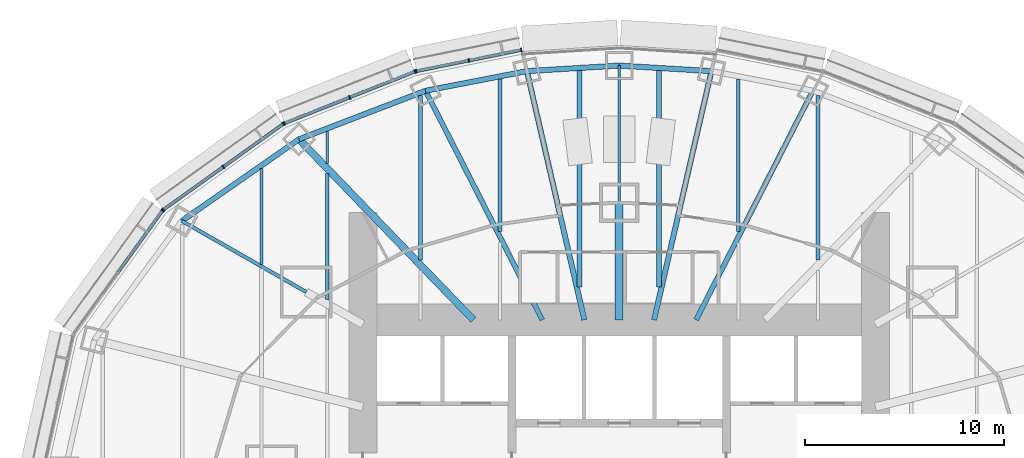
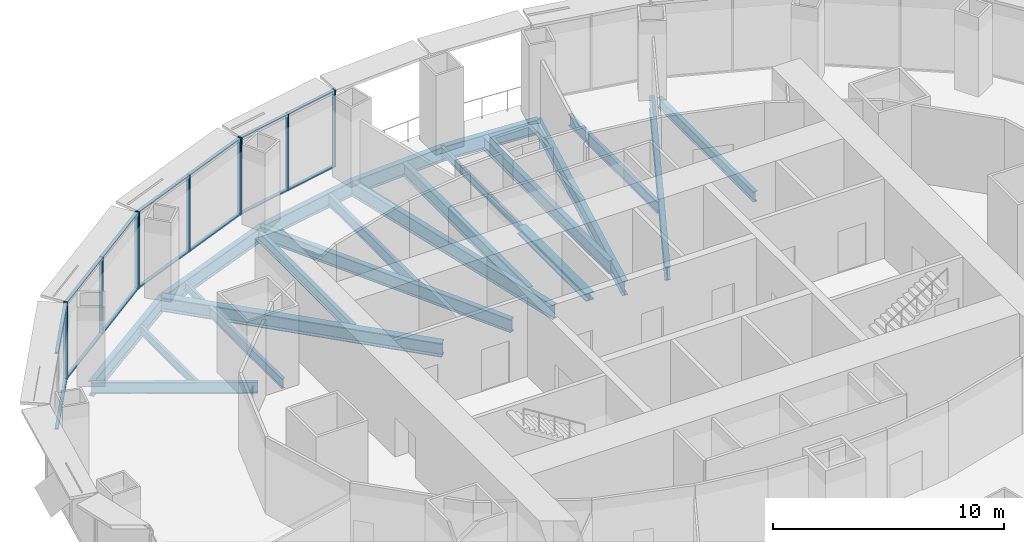
# One storey, part 7 of 17: 24 members, 22 beams, 4 elements without a shape of their own.
"""IFC4 building model written with IfcOpenShell, lengths in metres."""

from ifc_helpers import new_model, si_unit, direction, frame, origin, origin_2d, place, context, subcontext, project, spatial, rectangle, i_section, extrude, material, material_profile, profile_set, type_object, element, aggregate, save


model = new_model("IFC4")

# Units and contexts
model_context = context("Model", 3, precision=1e-05, world=origin(), true_north=direction((0.0, 1.0)))
body_context = subcontext(model_context, "Body", "Model", "MODEL_VIEW")
ifc_project = project(units=[si_unit("LENGTHUNIT", "METRE"), si_unit("AREAUNIT", "SQUARE_METRE"), si_unit("VOLUMEUNIT", "CUBIC_METRE"), si_unit("PLANEANGLEUNIT", "RADIAN"), si_unit("MASSUNIT", "GRAM", prefix="KILO")], contexts=[model_context])

# Site, building, storey
site_placement = place(None, origin())
site = spatial("IfcSite", under=ifc_project, at=site_placement, CompositionType="ELEMENT")
building_placement = place(site_placement, origin())
building = spatial("IfcBuilding", under=site, at=building_placement, Name="Lantaw Convention Tower", CompositionType="ELEMENT")
storey_placement = place(building_placement, frame((0.0, 0.0, 151.0)))
storey = spatial("IfcBuildingStorey", under=building, at=storey_placement, Name="L35", CompositionType="ELEMENT", Elevation=151.0)

# Beams
ifc_material_1 = material(Name="Steel ASTM A992", Category="steel")
ifc_material_profile_1 = material_profile(ifc_material_1, i_section(OverallWidth=0.2666015625, OverallDepth=0.76953125, WebThickness=0.015625, FlangeThickness=0.025390625, FilletRadius=0.0126953125, at=origin_2d()), Name="W30X132")
ifc_profile_set_1 = profile_set([ifc_material_profile_1], Name="Steel ASTM A992")
beam_type_1 = type_object("IfcBeamType", Name="Beam E W30X132", PredefinedType="SPANDREL", material=ifc_profile_set_1)
for number, where, z_axis, x_axis, name in (
    (1, (4.64501953125, 20.1201171875, -0.534912109375), (-0.998190892054, 0.06012439621, 0.0), (-0.06012439621, -0.998190892054, 0.0), "Edge beam 6"),
    (2, (0.0, 20.39990234375, -0.534912109375), (-0.998190892054, -0.06012439621, 0.0), (0.06012439621, -0.998190892054, 0.0), "Edge beam 7"),
):
    element("IfcBeam", number, at=place(storey_placement, frame(where, z_axis=z_axis, x_axis=x_axis)), inside=storey, type_object=beam_type_1, Name=name, PredefinedType="SPANDREL", context=body_context, shape_type="SweptSolid", body=[
        extrude(i_section(OverallWidth=0.2666015625, OverallDepth=0.76953125, WebThickness=0.015625, FlangeThickness=0.025390625, FilletRadius=0.0126953125, at=origin_2d()), origin(), (0.0, 0.0, 1.0), 4.6533203125),
    ])
beam_1_placement = place(storey_placement, frame((-4.64501953125, 20.1201171875, -0.534912109375), z_axis=(-0.981796805654, -0.189934284446, 0.0), x_axis=(0.189934284446, -0.981796805654, 0.0)))
element("IfcBeam", 3, at=beam_1_placement, inside=storey, type_object=beam_type_1, Name="Edge beam 8", PredefinedType="SPANDREL", context=body_context, shape_type="SweptSolid", body=[
    extrude(i_section(OverallWidth=0.2666015625, OverallDepth=0.76953125, WebThickness=0.015625, FlangeThickness=0.025390625, FilletRadius=0.0126953125, at=origin_2d()), origin(), (0.0, 0.0, 1.0), 5.1982421875),
])
beam_2_placement = place(storey_placement, frame((-9.74853515625, 19.1328125, -0.534912109375), z_axis=(-0.933691081977, -0.358079549033, 0.0), x_axis=(0.358079549033, -0.933691081977, 0.0)))
element("IfcBeam", 4, at=beam_2_placement, inside=storey, type_object=beam_type_1, Name="Edge beam 9", PredefinedType="SPANDREL", context=body_context, shape_type="SweptSolid", body=[
    extrude(i_section(OverallWidth=0.2666015625, OverallDepth=0.76953125, WebThickness=0.015625, FlangeThickness=0.025390625, FilletRadius=0.0126953125, at=origin_2d()), origin(), (0.0, 0.0, 1.0), 6.821533203125),
])
beam_3_placement = place(storey_placement, frame((-16.11767578125, 16.690185546875, -0.534912109375), z_axis=(-0.820310765287, -0.57191804339, 0.0), x_axis=(0.57191804339, -0.820310765287, 0.0)))
element("IfcBeam", 5, at=beam_3_placement, inside=storey, type_object=beam_type_1, Name="Edge beam 10", PredefinedType="SPANDREL", context=body_context, shape_type="SweptSolid", body=[
    extrude(i_section(OverallWidth=0.2666015625, OverallDepth=0.76953125, WebThickness=0.015625, FlangeThickness=0.025390625, FilletRadius=0.0126953125, at=origin_2d()), origin(), (0.0, 0.0, 1.0), 7.187744140625),
])
ifc_material_profile_2 = material_profile(ifc_material_1, i_section(OverallWidth=0.140380859375, OverallDepth=0.40380859375, WebThickness=0.007080078125, FlangeThickness=0.01123046875, FilletRadius=0.01025390625, at=origin_2d()), Name="W16X31")
ifc_profile_set_2 = profile_set([ifc_material_profile_2], Name="Steel ASTM A992")
beam_type_2 = type_object("IfcBeamType", Name="Beam G W16X31", PredefinedType="BEAM", material=ifc_profile_set_2)
beam_4_placement = place(storey_placement, frame((0.0, 13.5, -0.35205078125), z_axis=(0.0, 1.0, 0.0), x_axis=(-1.0, 0.0, 0.0)))
element("IfcBeam", 6, at=beam_4_placement, inside=storey, type_object=beam_type_2, Name="Floor girder on ray 7", PredefinedType="BEAM", context=body_context, shape_type="SweptSolid", body=[
    extrude(i_section(OverallWidth=0.140380859375, OverallDepth=0.40380859375, WebThickness=0.007080078125, FlangeThickness=0.01123046875, FilletRadius=0.01025390625, at=origin_2d()), origin(), (0.0, 0.0, 1.0), 6.89990234375),
])
ifc_material_profile_3 = material_profile(ifc_material_1, i_section(OverallWidth=0.177978515625, OverallDepth=0.599365234375, WebThickness=0.010009765625, FlangeThickness=0.012939453125, FilletRadius=0.012939453125, at=origin_2d()), Name="W24X55")
ifc_profile_set_3 = profile_set([ifc_material_profile_3], Name="Steel ASTM A992")
beam_type_3 = type_object("IfcBeamType", Name="Beam G W24X55", PredefinedType="BEAM", material=ifc_profile_set_3)
beam_5_placement = place(storey_placement, frame((-15.75, 9.0, -0.44970703125), z_axis=(-0.868245224608, 0.496135293993, 0.0), x_axis=(-0.496135293993, -0.868245224608, 0.0)))
element("IfcBeam", 7, at=beam_5_placement, inside=storey, type_object=beam_type_3, Name="Floor girder on ray 11", PredefinedType="BEAM", context=body_context, shape_type="SweptSolid", body=[
    extrude(i_section(OverallWidth=0.177978515625, OverallDepth=0.599365234375, WebThickness=0.010009765625, FlangeThickness=0.012939453125, FilletRadius=0.012939453125, at=origin_2d()), origin(), (0.0, 0.0, 1.0), 7.21435546875),
])
ifc_material_profile_4 = material_profile(ifc_material_1, i_section(OverallWidth=0.25390625, OverallDepth=0.700927734375, WebThickness=0.015380859375, FlangeThickness=0.02783203125, FilletRadius=0.01513671875, at=origin_2d()), Name="W27X129")
ifc_profile_set_4 = profile_set([ifc_material_profile_4], Name="Steel ASTM A992")
beam_type_4 = type_object("IfcBeamType", Name="Beam G W27X129", PredefinedType="BEAM", material=ifc_profile_set_4)
for number, where, z_axis, x_axis, name in (
    (8, (3.872314453125, 7.60009765625, -0.50048828125), (0.453991051051, 0.891006243281, 0.0), (-0.891006243281, 0.453991051051, 0.0), "Floor girder on ray 5"),
    (9, (-3.872314453125, 7.60009765625, -0.50048828125), (-0.453991051051, 0.891006243281, 0.0), (-0.891006243281, -0.453991051051, 0.0), "Floor girder on ray 9"),
):
    element("IfcBeam", number, at=place(storey_placement, frame(where, z_axis=z_axis, x_axis=x_axis)), inside=storey, type_object=beam_type_4, Name=name, PredefinedType="BEAM", context=body_context, shape_type="SweptSolid", body=[
        extrude(i_section(OverallWidth=0.25390625, OverallDepth=0.700927734375, WebThickness=0.015380859375, FlangeThickness=0.02783203125, FilletRadius=0.01513671875, at=origin_2d()), origin(), (0.0, 0.0, 1.0), 12.943359375),
    ])
ifc_material_profile_5 = material_profile(ifc_material_1, i_section(OverallWidth=0.360595703125, OverallDepth=0.72900390625, WebThickness=0.023193359375, FlangeThickness=0.041015625, FilletRadius=0.0126953125, at=origin_2d()), Name="W27X235")
ifc_profile_set_5 = profile_set([ifc_material_profile_5], Name="Steel ASTM A992")
beam_type_5 = type_object("IfcBeamType", Name="Beam G W27X235", PredefinedType="BEAM", material=ifc_profile_set_5)
beam_6_placement = place(storey_placement, frame((-7.33935546875, 7.60009765625, -0.514404296875), z_axis=(-0.694663467407, 0.719334878239, 0.0), x_axis=(-0.719334878239, -0.694663467407, 0.0)))
element("IfcBeam", 10, at=beam_6_placement, inside=storey, type_object=beam_type_5, Name="Floor girder on ray 10", PredefinedType="BEAM", context=body_context, shape_type="SweptSolid", body=[
    extrude(i_section(OverallWidth=0.360595703125, OverallDepth=0.72900390625, WebThickness=0.023193359375, FlangeThickness=0.041015625, FilletRadius=0.0126953125, at=origin_2d()), origin(), (0.0, 0.0, 1.0), 12.63671875),
])
ifc_material_profile_6 = material_profile(ifc_material_1, i_section(OverallWidth=0.2666015625, OverallDepth=0.7568359375, WebThickness=0.013916015625, FlangeThickness=0.019287109375, FilletRadius=0.0126953125, at=origin_2d()), Name="W30X108")
ifc_profile_set_6 = profile_set([ifc_material_profile_6], Name="Steel ASTM A992")
beam_type_6 = type_object("IfcBeamType", Name="Beam G W30X108", PredefinedType="BEAM", material=ifc_profile_set_6)
for number, where, z_axis, x_axis, name in (
    (11, (1.754638671875, 7.60009765625, -0.528564453125), (0.224944153104, 0.974371658036, 0.0), (-0.974371658036, 0.224944153104, 0.0), "Floor girder on ray 6"),
    (12, (-1.754638671875, 7.60009765625, -0.528564453125), (-0.224944153104, 0.974371658036, 0.0), (-0.974371658036, -0.224944153104, 0.0), "Floor girder on ray 8"),
):
    element("IfcBeam", number, at=place(storey_placement, frame(where, z_axis=z_axis, x_axis=x_axis)), inside=storey, type_object=beam_type_6, Name=name, PredefinedType="BEAM", context=body_context, shape_type="SweptSolid", body=[
        extrude(i_section(OverallWidth=0.2666015625, OverallDepth=0.7568359375, WebThickness=0.013916015625, FlangeThickness=0.019287109375, FilletRadius=0.0126953125, at=origin_2d()), origin(), (0.0, 0.0, 1.0), 12.849365234375),
    ])
ifc_material_profile_7 = material_profile(ifc_material_1, i_section(OverallWidth=0.40380859375, OverallDepth=0.406494140625, WebThickness=0.027099609375, FlangeThickness=0.043701171875, FilletRadius=0.01513671875, at=origin_2d()), Name="W14X233")
ifc_profile_set_7 = profile_set([ifc_material_profile_7], Name="Steel ASTM A992")
beam_type_7 = type_object("IfcBeamType", Name="Beam GM W14X233", PredefinedType="BEAM", material=ifc_profile_set_7)
beam_7_placement = place(storey_placement, frame((0.0, 7.60009765625, -0.353271484375), z_axis=(0.0, 1.0, 0.0), x_axis=(-1.0, 0.0, 0.0)))
element("IfcBeam", 13, at=beam_7_placement, inside=storey, type_object=beam_type_7, Name="Core link beam on ray 7", PredefinedType="BEAM", context=body_context, shape_type="SweptSolid", body=[
    extrude(i_section(OverallWidth=0.40380859375, OverallDepth=0.406494140625, WebThickness=0.027099609375, FlangeThickness=0.043701171875, FilletRadius=0.01513671875, at=origin_2d()), origin(), (0.0, 0.0, 1.0), 5.89990234375),
])
ifc_material_profile_8 = material_profile(ifc_material_1, i_section(OverallWidth=0.140380859375, OverallDepth=0.40380859375, WebThickness=0.007080078125, FlangeThickness=0.01123046875, FilletRadius=0.01025390625, at=origin_2d()), Name="W16X31")
ifc_profile_set_8 = profile_set([ifc_material_profile_8], Name="Steel ASTM A992")
beam_type_8 = type_object("IfcBeamType", Name="Beam J W16X31", PredefinedType="JOIST", material=ifc_profile_set_8)
beam_8_placement = place(storey_placement, frame((-14.699951171875, 15.48193359375, -0.35205078125), z_axis=(0.0, 1.0, 0.0), x_axis=(-1.0, 0.0, 0.0)))
element("IfcBeam", 14, at=beam_8_placement, inside=storey, type_object=beam_type_8, Name="Floor joist", PredefinedType="JOIST", context=body_context, shape_type="SweptSolid", body=[
    extrude(i_section(OverallWidth=0.140380859375, OverallDepth=0.40380859375, WebThickness=0.007080078125, FlangeThickness=0.01123046875, FilletRadius=0.01025390625, at=origin_2d()), origin(), (0.0, 0.0, 1.0), 1.609130859375),
])
ifc_material_profile_9 = material_profile(ifc_material_1, i_section(OverallWidth=0.15234375, OverallDepth=0.449462890625, WebThickness=0.007568359375, FlangeThickness=0.0107421875, FilletRadius=0.01025390625, at=origin_2d()), Name="W18X35")
ifc_profile_set_9 = profile_set([ifc_material_profile_9], Name="Steel ASTM A992")
beam_type_9 = type_object("IfcBeamType", Name="Beam J W18X35", PredefinedType="JOIST", material=ifc_profile_set_9)
beam_9_placement = place(storey_placement, frame((-18.0, 10.38818359375, -0.374755859375), z_axis=(0.0, 1.0, 0.0), x_axis=(-1.0, 0.0, 0.0)))
element("IfcBeam", 15, at=beam_9_placement, inside=storey, type_object=beam_type_9, Name="Floor joist", PredefinedType="JOIST", context=body_context, shape_type="SweptSolid", body=[
    extrude(i_section(OverallWidth=0.15234375, OverallDepth=0.449462890625, WebThickness=0.007568359375, FlangeThickness=0.0107421875, FilletRadius=0.01025390625, at=origin_2d()), origin(), (0.0, 0.0, 1.0), 4.8271484375),
])
ifc_material_profile_10 = material_profile(ifc_material_1, i_section(OverallWidth=0.1650390625, OverallDepth=0.52587890625, WebThickness=0.0087890625, FlangeThickness=0.011474609375, FilletRadius=0.0126953125, at=origin_2d()), Name="W21X44")
ifc_profile_set_10 = profile_set([ifc_material_profile_10], Name="Steel ASTM A992")
beam_type_10 = type_object("IfcBeamType", Name="Beam J W21X44", PredefinedType="JOIST", material=ifc_profile_set_10)
beam_10_placement = place(storey_placement, frame((-14.699951171875, 8.632568359375, -0.412841796875), z_axis=(0.0, 1.0, 0.0), x_axis=(-1.0, 0.0, 0.0)))
element("IfcBeam", 16, at=beam_10_placement, inside=storey, type_object=beam_type_10, Name="Floor joist", PredefinedType="JOIST", context=body_context, shape_type="SweptSolid", body=[
    extrude(i_section(OverallWidth=0.1650390625, OverallDepth=0.52587890625, WebThickness=0.0087890625, FlangeThickness=0.011474609375, FilletRadius=0.0126953125, at=origin_2d()), origin(), (0.0, 0.0, 1.0), 6.330078125),
])
ifc_material_profile_11 = material_profile(ifc_material_1, i_section(OverallWidth=0.2099609375, OverallDepth=0.535888671875, WebThickness=0.010986328125, FlangeThickness=0.017333984375, FilletRadius=0.012939453125, at=origin_2d()), Name="W21X68")
ifc_profile_set_11 = profile_set([ifc_material_profile_11], Name="Steel ASTM A992")
beam_type_11 = type_object("IfcBeamType", Name="Beam J W21X68", PredefinedType="JOIST", material=ifc_profile_set_11)
for number, where, z_axis, x_axis, name in (
    (17, (-10.0, 10.614990234375, -0.41796875), (0.0, 1.0, 0.0), (-1.0, 0.0, 0.0), "Floor joist"),
    (18, (10.0, 10.614990234375, -0.41796875), (0.0, 1.0, 0.0), (-1.0, 0.0, 0.0), "Floor joist"),
):
    element("IfcBeam", number, at=place(storey_placement, frame(where, z_axis=z_axis, x_axis=x_axis)), inside=storey, type_object=beam_type_11, Name=name, PredefinedType="JOIST", context=body_context, shape_type="SweptSolid", body=[
        extrude(i_section(OverallWidth=0.2099609375, OverallDepth=0.535888671875, WebThickness=0.010986328125, FlangeThickness=0.017333984375, FilletRadius=0.012939453125, at=origin_2d()), origin(), (0.0, 0.0, 1.0), 8.278564453125),
    ])
ifc_material_profile_12 = material_profile(ifc_material_1, i_section(OverallWidth=0.177978515625, OverallDepth=0.599365234375, WebThickness=0.010009765625, FlangeThickness=0.012939453125, FilletRadius=0.012939453125, at=origin_2d()), Name="W24X55")
ifc_profile_set_12 = profile_set([ifc_material_profile_12], Name="Steel ASTM A992")
beam_type_12 = type_object("IfcBeamType", Name="Beam J W24X55", PredefinedType="JOIST", material=ifc_profile_set_12)
for number, where, z_axis, x_axis, name in (
    (19, (-6.0, 12.055419921875, -0.44970703125), (0.0, 1.0, 0.0), (-1.0, 0.0, 0.0), "Floor joist"),
    (20, (6.0, 12.055419921875, -0.44970703125), (0.0, 1.0, 0.0), (-1.0, 0.0, 0.0), "Floor joist"),
):
    element("IfcBeam", number, at=place(storey_placement, frame(where, z_axis=z_axis, x_axis=x_axis)), inside=storey, type_object=beam_type_12, Name=name, PredefinedType="JOIST", context=body_context, shape_type="SweptSolid", body=[
        extrude(i_section(OverallWidth=0.177978515625, OverallDepth=0.599365234375, WebThickness=0.010009765625, FlangeThickness=0.012939453125, FilletRadius=0.012939453125, at=origin_2d()), origin(), (0.0, 0.0, 1.0), 7.666748046875),
    ])
ifc_material_profile_13 = material_profile(ifc_material_1, i_section(OverallWidth=0.25390625, OverallDepth=0.683349609375, WebThickness=0.012451171875, FlangeThickness=0.01904296875, FilletRadius=0.01513671875, at=origin_2d()), Name="W27X94")
ifc_profile_set_13 = profile_set([ifc_material_profile_13], Name="Steel ASTM A992")
beam_type_13 = type_object("IfcBeamType", Name="Beam J W27X94", PredefinedType="JOIST", material=ifc_profile_set_13)
for number, where, z_axis, x_axis, name in (
    (21, (-2.0, 9.255859375, -0.49169921875), (0.0, 1.0, 0.0), (-1.0, 0.0, 0.0), "Floor joist"),
    (22, (2.0, 9.255859375, -0.49169921875), (0.0, 1.0, 0.0), (-1.0, 0.0, 0.0), "Floor joist"),
):
    element("IfcBeam", number, at=place(storey_placement, frame(where, z_axis=z_axis, x_axis=x_axis)), inside=storey, type_object=beam_type_13, Name=name, PredefinedType="JOIST", context=body_context, shape_type="SweptSolid", body=[
        extrude(i_section(OverallWidth=0.25390625, OverallDepth=0.683349609375, WebThickness=0.012451171875, FlangeThickness=0.01904296875, FilletRadius=0.01513671875, at=origin_2d()), origin(), (0.0, 0.0, 1.0), 10.889892578125),
    ])

# Curtain wall, members
ifc_material_2 = material(Name="Aluminium framed curtain wall", Category="aluminium")
curtain_wall_type = type_object("IfcCurtainWallType", Name="Office curtain wall low rise, pale aluminium", PredefinedType="USERDEFINED", material=ifc_material_2)
curtain_wall_1_placement = place(storey_placement, origin())
curtain_wall_1 = element("IfcCurtainWall", 23, at=curtain_wall_1_placement, inside=storey, type_object=curtain_wall_type, Name="Office curtain wall low rise, pale aluminium L35", ObjectType="UNITISED CURTAIN WALL", PredefinedType="USERDEFINED")
ifc_material_3 = material(Name="Aluminium 6063-T6", Category="aluminium")
ifc_material_profile_14 = material_profile(ifc_material_3, rectangle(XDim=0.199951171875, YDim=0.06494140625, at=origin_2d()), Name="CW-O1 mullion 65x200")
ifc_profile_set_14 = profile_set([ifc_material_profile_14], Name="Aluminium 6063-T6")
member_type_1 = type_object("IfcMemberType", Name="CW-O1 mullion 65x200", PredefinedType="MULLION", material=ifc_profile_set_14)
member_1_placement = place(storey_placement, frame((-4.92431640625, 21.185302734375, 0.0), z_axis=(0.0, 0.0, 1.0), x_axis=(0.197506809659, -0.980301514912, 0.0)))
member_1 = element("IfcMember", 24, at=member_1_placement, type_object=member_type_1, Name="CW-O1 mullion 1", PredefinedType="MULLION", context=body_context, shape_type="SweptSolid", body=[
    extrude(rectangle(XDim=0.199951171875, YDim=0.06494140625, at=origin_2d()), origin(), (0.0, 0.0, 1.0), 4.050048828125),
])
member_2_placement = place(storey_placement, frame((-7.5703125, 20.65234375, 0.0), z_axis=(0.0, 0.0, 1.0), x_axis=(0.197506809659, -0.980301514912, 0.0)))
member_2 = element("IfcMember", 25, at=member_2_placement, type_object=member_type_1, Name="CW-O1 mullion 2", PredefinedType="MULLION", context=body_context, shape_type="SweptSolid", body=[
    extrude(rectangle(XDim=0.199951171875, YDim=0.06494140625, at=origin_2d()), origin(), (0.0, 0.0, 1.0), 4.050048828125),
])
member_3_placement = place(storey_placement, frame((-10.216064453125, 20.119140625, 0.0), z_axis=(0.0, 0.0, 1.0), x_axis=(0.197506809659, -0.980301514912, 0.0)))
member_3 = element("IfcMember", 26, at=member_3_placement, type_object=member_type_1, Name="CW-O1 mullion 3", PredefinedType="MULLION", context=body_context, shape_type="SweptSolid", body=[
    extrude(rectangle(XDim=0.199951171875, YDim=0.06494140625, at=origin_2d()), origin(), (0.0, 0.0, 1.0), 4.050048828125),
])

curtain_wall_2_placement = place(storey_placement, origin())
curtain_wall_2 = element("IfcCurtainWall", 27, at=curtain_wall_2_placement, inside=storey, type_object=curtain_wall_type, Name="Office curtain wall low rise, pale aluminium L35", ObjectType="UNITISED CURTAIN WALL", PredefinedType="USERDEFINED")
member_4_placement = place(storey_placement, frame((-10.2783203125, 20.100830078125, 0.0), z_axis=(0.0, 0.0, 1.0), x_axis=(0.368701907483, -0.929547687544, 0.0)))
member_4 = element("IfcMember", 28, at=member_4_placement, type_object=member_type_1, Name="CW-O1 mullion 1", PredefinedType="MULLION", context=body_context, shape_type="SweptSolid", body=[
    extrude(rectangle(XDim=0.199951171875, YDim=0.06494140625, at=origin_2d()), origin(), (0.0, 0.0, 1.0), 4.050048828125),
])
member_5_placement = place(storey_placement, frame((-13.56494140625, 18.797119140625, 0.0), z_axis=(0.0, 0.0, 1.0), x_axis=(0.368701907483, -0.929547687544, 0.0)))
member_5 = element("IfcMember", 29, at=member_5_placement, type_object=member_type_1, Name="CW-O1 mullion 2", PredefinedType="MULLION", context=body_context, shape_type="SweptSolid", body=[
    extrude(rectangle(XDim=0.199951171875, YDim=0.06494140625, at=origin_2d()), origin(), (0.0, 0.0, 1.0), 4.050048828125),
])
member_6_placement = place(storey_placement, frame((-16.8515625, 17.49365234375, 0.0), z_axis=(0.0, 0.0, 1.0), x_axis=(0.368701907483, -0.929547687544, 0.0)))
member_6 = element("IfcMember", 30, at=member_6_placement, type_object=member_type_1, Name="CW-O1 mullion 3", PredefinedType="MULLION", context=body_context, shape_type="SweptSolid", body=[
    extrude(rectangle(XDim=0.199951171875, YDim=0.06494140625, at=origin_2d()), origin(), (0.0, 0.0, 1.0), 4.050048828125),
])

curtain_wall_3_placement = place(storey_placement, origin())
curtain_wall_3 = element("IfcCurtainWall", 31, at=curtain_wall_3_placement, inside=storey, type_object=curtain_wall_type, Name="Office curtain wall low rise, pale aluminium L35", ObjectType="UNITISED CURTAIN WALL", PredefinedType="USERDEFINED")
member_7_placement = place(storey_placement, frame((-16.908203125, 17.462646484375, 0.0), z_axis=(0.0, 0.0, 1.0), x_axis=(0.581972695693, -0.813208325995, 0.0)))
member_7 = element("IfcMember", 32, at=member_7_placement, type_object=member_type_1, Name="CW-O1 mullion 1", PredefinedType="MULLION", context=body_context, shape_type="SweptSolid", body=[
    extrude(rectangle(XDim=0.199951171875, YDim=0.06494140625, at=origin_2d()), origin(), (0.0, 0.0, 1.0), 4.050048828125),
])
member_8_placement = place(storey_placement, frame((-19.92529296875, 15.303466796875, 0.0), z_axis=(0.0, 0.0, 1.0), x_axis=(0.581972695693, -0.813208325995, 0.0)))
member_8 = element("IfcMember", 33, at=member_8_placement, type_object=member_type_1, Name="CW-O1 mullion 2", PredefinedType="MULLION", context=body_context, shape_type="SweptSolid", body=[
    extrude(rectangle(XDim=0.199951171875, YDim=0.06494140625, at=origin_2d()), origin(), (0.0, 0.0, 1.0), 4.050048828125),
])
member_9_placement = place(storey_placement, frame((-22.942626953125, 13.14404296875, 0.0), z_axis=(0.0, 0.0, 1.0), x_axis=(0.581972695693, -0.813208325995, 0.0)))
member_9 = element("IfcMember", 34, at=member_9_placement, type_object=member_type_1, Name="CW-O1 mullion 3", PredefinedType="MULLION", context=body_context, shape_type="SweptSolid", body=[
    extrude(rectangle(XDim=0.199951171875, YDim=0.06494140625, at=origin_2d()), origin(), (0.0, 0.0, 1.0), 4.050048828125),
])

# Curtain wall, member
curtain_wall_4_placement = place(storey_placement, origin())
curtain_wall_4 = element("IfcCurtainWall", 35, at=curtain_wall_4_placement, inside=storey, type_object=curtain_wall_type, Name="Office curtain wall low rise, pale aluminium L35", ObjectType="UNITISED CURTAIN WALL", PredefinedType="USERDEFINED")
member_10_placement = place(storey_placement, frame((-22.988037109375, 13.098876953125, 0.0), z_axis=(0.0, 0.0, 1.0), x_axis=(0.811384633629, -0.584512597221, 0.0)))
member_10 = element("IfcMember", 36, at=member_10_placement, type_object=member_type_1, Name="CW-O1 mullion 1", PredefinedType="MULLION", context=body_context, shape_type="SweptSolid", body=[
    extrude(rectangle(XDim=0.199951171875, YDim=0.06494140625, at=origin_2d()), origin(), (0.0, 0.0, 1.0), 4.050048828125),
])

# Member
ifc_material_profile_15 = material_profile(ifc_material_3, rectangle(XDim=0.159912109375, YDim=0.06494140625, at=origin_2d()), Name="CW-O1 transom 65x160")
ifc_profile_set_15 = profile_set([ifc_material_profile_15], Name="Aluminium 6063-T6")
member_type_2 = type_object("IfcMemberType", Name="CW-O1 transom 65x160", PredefinedType="USERDEFINED", material=ifc_profile_set_15)
member_11_placement = place(storey_placement, frame((-4.956298828125, 21.178955078125, 0.032470703125), z_axis=(-0.980298027092, -0.197524120247, 0.0), x_axis=(0.197524120247, -0.980298027092, 0.0)))
member_11 = element("IfcMember", 37, at=member_11_placement, type_object=member_type_2, Name="CW-O1 transom 1.1", ObjectType="TRANSOM", PredefinedType="USERDEFINED", context=body_context, shape_type="SweptSolid", body=[
    extrude(rectangle(XDim=0.159912109375, YDim=0.06494140625, at=origin_2d()), origin(), (0.0, 0.0, 1.0), 2.634033203125),
])

member_12_placement = place(storey_placement, frame((-4.956298828125, 21.178955078125, 4.017578125), z_axis=(-0.980298027092, -0.197524120247, 0.0), x_axis=(0.197524120247, -0.980298027092, 0.0)))
member_12 = element("IfcMember", 38, at=member_12_placement, type_object=member_type_2, Name="CW-O1 transom 1.2", ObjectType="TRANSOM", PredefinedType="USERDEFINED", context=body_context, shape_type="SweptSolid", body=[
    extrude(rectangle(XDim=0.159912109375, YDim=0.06494140625, at=origin_2d()), origin(), (0.0, 0.0, 1.0), 2.634033203125),
])

member_13_placement = place(storey_placement, frame((-7.60205078125, 20.64599609375, 0.032470703125), z_axis=(-0.980301643003, -0.197506173891, 0.0), x_axis=(0.197506173891, -0.980301643003, 0.0)))
member_13 = element("IfcMember", 39, at=member_13_placement, type_object=member_type_2, Name="CW-O1 transom 2.1", ObjectType="TRANSOM", PredefinedType="USERDEFINED", context=body_context, shape_type="SweptSolid", body=[
    extrude(rectangle(XDim=0.159912109375, YDim=0.06494140625, at=origin_2d()), origin(), (0.0, 0.0, 1.0), 2.63427734375),
])

member_14_placement = place(storey_placement, frame((-7.60205078125, 20.64599609375, 4.017578125), z_axis=(-0.980301643003, -0.197506173891, 0.0), x_axis=(0.197506173891, -0.980301643003, 0.0)))
member_14 = element("IfcMember", 40, at=member_14_placement, type_object=member_type_2, Name="CW-O1 transom 2.2", ObjectType="TRANSOM", PredefinedType="USERDEFINED", context=body_context, shape_type="SweptSolid", body=[
    extrude(rectangle(XDim=0.159912109375, YDim=0.06494140625, at=origin_2d()), origin(), (0.0, 0.0, 1.0), 2.63427734375),
])

aggregate(curtain_wall_1, [member_1, member_2, member_3, member_11, member_12, member_13, member_14])

member_15_placement = place(storey_placement, frame((-10.308349609375, 20.0888671875, 0.032470703125), z_axis=(-0.929540081544, -0.368721082668, 0.0), x_axis=(0.368721082668, -0.929540081544, 0.0)))
member_15 = element("IfcMember", 41, at=member_15_placement, type_object=member_type_2, Name="CW-O1 transom 1.1", ObjectType="TRANSOM", PredefinedType="USERDEFINED", context=body_context, shape_type="SweptSolid", body=[
    extrude(rectangle(XDim=0.159912109375, YDim=0.06494140625, at=origin_2d()), origin(), (0.0, 0.0, 1.0), 3.470947265625),
])

member_16_placement = place(storey_placement, frame((-10.308349609375, 20.0888671875, 4.017578125), z_axis=(-0.929540081544, -0.368721082668, 0.0), x_axis=(0.368721082668, -0.929540081544, 0.0)))
member_16 = element("IfcMember", 42, at=member_16_placement, type_object=member_type_2, Name="CW-O1 transom 1.2", ObjectType="TRANSOM", PredefinedType="USERDEFINED", context=body_context, shape_type="SweptSolid", body=[
    extrude(rectangle(XDim=0.159912109375, YDim=0.06494140625, at=origin_2d()), origin(), (0.0, 0.0, 1.0), 3.470947265625),
])

member_17_placement = place(storey_placement, frame((-13.594970703125, 18.78515625, 0.032470703125), z_axis=(-0.929564188507, -0.368660303592, 0.0), x_axis=(0.368660303592, -0.929564188507, 0.0)))
member_17 = element("IfcMember", 43, at=member_17_placement, type_object=member_type_2, Name="CW-O1 transom 2.1", ObjectType="TRANSOM", PredefinedType="USERDEFINED", context=body_context, shape_type="SweptSolid", body=[
    extrude(rectangle(XDim=0.159912109375, YDim=0.06494140625, at=origin_2d()), origin(), (0.0, 0.0, 1.0), 3.470703125),
])

member_18_placement = place(storey_placement, frame((-13.594970703125, 18.78515625, 4.017578125), z_axis=(-0.929564188507, -0.368660303592, 0.0), x_axis=(0.368660303592, -0.929564188507, 0.0)))
member_18 = element("IfcMember", 44, at=member_18_placement, type_object=member_type_2, Name="CW-O1 transom 2.2", ObjectType="TRANSOM", PredefinedType="USERDEFINED", context=body_context, shape_type="SweptSolid", body=[
    extrude(rectangle(XDim=0.159912109375, YDim=0.06494140625, at=origin_2d()), origin(), (0.0, 0.0, 1.0), 3.470703125),
])

aggregate(curtain_wall_2, [member_4, member_5, member_6, member_15, member_16, member_17, member_18])

member_19_placement = place(storey_placement, frame((-16.9345703125, 17.44384765625, 0.032470703125), z_axis=(-0.813190089133, -0.581998177777, 0.0), x_axis=(0.581998177777, -0.813190089133, 0.0)))
member_19 = element("IfcMember", 45, at=member_19_placement, type_object=member_type_2, Name="CW-O1 transom 1.1", ObjectType="TRANSOM", PredefinedType="USERDEFINED", context=body_context, shape_type="SweptSolid", body=[
    extrude(rectangle(XDim=0.159912109375, YDim=0.06494140625, at=origin_2d()), origin(), (0.0, 0.0, 1.0), 3.645263671875),
])

member_20_placement = place(storey_placement, frame((-16.9345703125, 17.44384765625, 4.017578125), z_axis=(-0.813190089133, -0.581998177777, 0.0), x_axis=(0.581998177777, -0.813190089133, 0.0)))
member_20 = element("IfcMember", 46, at=member_20_placement, type_object=member_type_2, Name="CW-O1 transom 1.2", ObjectType="TRANSOM", PredefinedType="USERDEFINED", context=body_context, shape_type="SweptSolid", body=[
    extrude(rectangle(XDim=0.159912109375, YDim=0.06494140625, at=origin_2d()), origin(), (0.0, 0.0, 1.0), 3.645263671875),
])

member_21_placement = place(storey_placement, frame((-19.951904296875, 15.284423828125, 0.032470703125), z_axis=(-0.813221785972, -0.581953887194, 0.0), x_axis=(0.581953887194, -0.813221785972, 0.0)))
member_21 = element("IfcMember", 47, at=member_21_placement, type_object=member_type_2, Name="CW-O1 transom 2.1", ObjectType="TRANSOM", PredefinedType="USERDEFINED", context=body_context, shape_type="SweptSolid", body=[
    extrude(rectangle(XDim=0.159912109375, YDim=0.06494140625, at=origin_2d()), origin(), (0.0, 0.0, 1.0), 3.645263671875),
])

member_22_placement = place(storey_placement, frame((-19.951904296875, 15.284423828125, 4.017578125), z_axis=(-0.813221785972, -0.581953887194, 0.0), x_axis=(0.581953887194, -0.813221785972, 0.0)))
member_22 = element("IfcMember", 48, at=member_22_placement, type_object=member_type_2, Name="CW-O1 transom 2.2", ObjectType="TRANSOM", PredefinedType="USERDEFINED", context=body_context, shape_type="SweptSolid", body=[
    extrude(rectangle(XDim=0.159912109375, YDim=0.06494140625, at=origin_2d()), origin(), (0.0, 0.0, 1.0), 3.645263671875),
])

aggregate(curtain_wall_3, [member_7, member_8, member_9, member_19, member_20, member_21, member_22])

member_23_placement = place(storey_placement, frame((-23.007080078125, 13.072509765625, 0.032470703125), z_axis=(-0.584512973979, -0.811384362217, 0.0), x_axis=(0.811384362217, -0.584512973979, 0.0)))
member_23 = element("IfcMember", 49, at=member_23_placement, type_object=member_type_2, Name="CW-O1 transom 1.1", ObjectType="TRANSOM", PredefinedType="USERDEFINED", context=body_context, shape_type="SweptSolid", body=[
    extrude(rectangle(XDim=0.159912109375, YDim=0.06494140625, at=origin_2d()), origin(), (0.0, 0.0, 1.0), 3.767578125),
])

member_24_placement = place(storey_placement, frame((-23.007080078125, 13.072509765625, 4.017578125), z_axis=(-0.584512973979, -0.811384362217, 0.0), x_axis=(0.811384362217, -0.584512973979, 0.0)))
member_24 = element("IfcMember", 50, at=member_24_placement, type_object=member_type_2, Name="CW-O1 transom 1.2", ObjectType="TRANSOM", PredefinedType="USERDEFINED", context=body_context, shape_type="SweptSolid", body=[
    extrude(rectangle(XDim=0.159912109375, YDim=0.06494140625, at=origin_2d()), origin(), (0.0, 0.0, 1.0), 3.767578125),
])

aggregate(curtain_wall_4, [member_10, member_23, member_24])

save(model, "model.ifc")
